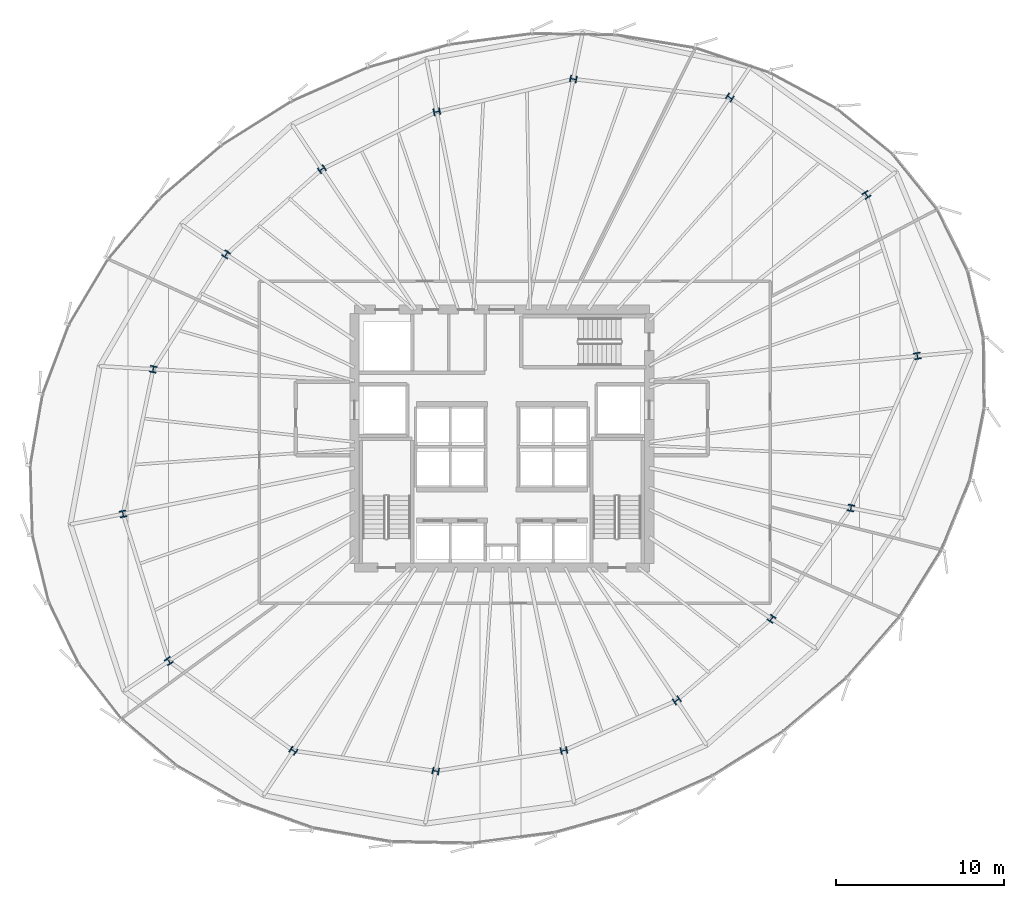
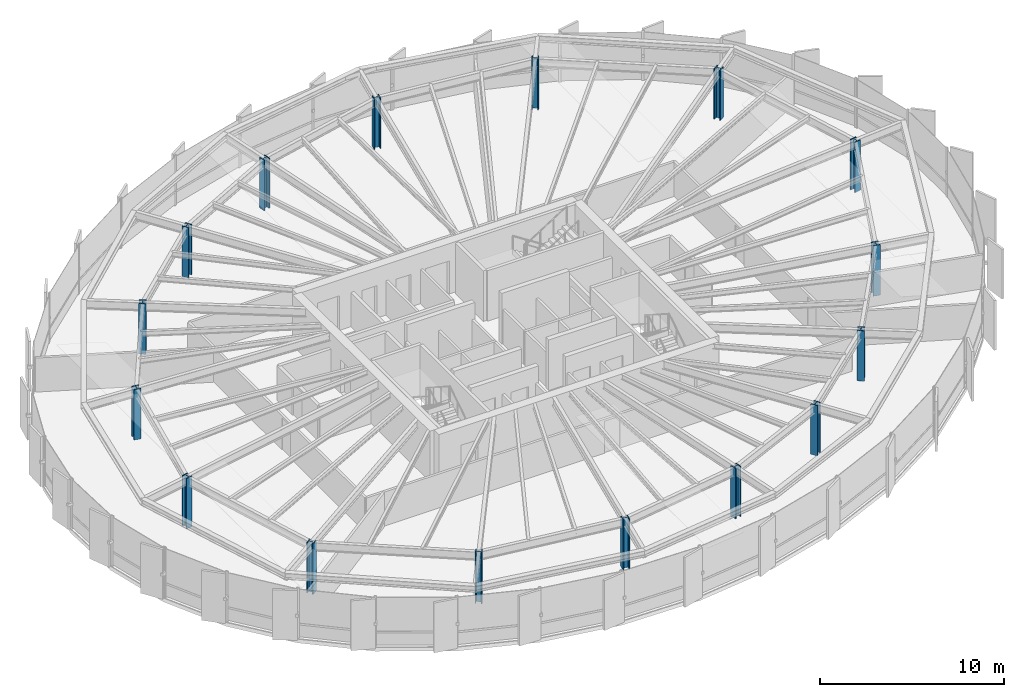
# One storey, part 1 of 33: 16 columns.
"""IFC4 building model written with IfcOpenShell, lengths in metres."""

from ifc_helpers import new_model, si_unit, direction, frame, origin, origin_2d, place, context, subcontext, project, spatial, i_section, extrude, source, transform, mapped, material, material_profile, profile_set, type_object, element, save


model = new_model("IFC4")

# Units and contexts
model_context = context("Model", 3, precision=1e-05, world=origin(), true_north=direction((0.0, 1.0)))
body_context = subcontext(model_context, "Body", "Model", "MODEL_VIEW")
ifc_project = project(units=[si_unit("LENGTHUNIT", "METRE"), si_unit("AREAUNIT", "SQUARE_METRE"), si_unit("VOLUMEUNIT", "CUBIC_METRE"), si_unit("PLANEANGLEUNIT", "RADIAN"), si_unit("MASSUNIT", "GRAM", prefix="KILO"), si_unit("THERMODYNAMICTEMPERATUREUNIT", "KELVIN")], contexts=[model_context])

# Site, building, storey
site_placement = place(None, origin())
site = spatial("IfcSite", under=ifc_project, at=site_placement, CompositionType="ELEMENT")
building_placement = place(site_placement, origin())
building = spatial("IfcBuilding", under=site, at=building_placement, Name="Kethvar Cultural Tower", CompositionType="ELEMENT")
storey_placement = place(building_placement, frame((0.0, 0.0, 114.39990234375)))
storey = spatial("IfcBuildingStorey", under=building, at=storey_placement, Name="L28", CompositionType="ELEMENT", Elevation=114.39990234375)

# Columns
ifc_material = material(Name="Steel S460M", Category="steel")
ifc_material_profile = material_profile(ifc_material, i_section(OverallWidth=0.405029296875, OverallDepth=0.39794921875, WebThickness=0.034912109375, FlangeThickness=0.055908203125, FilletRadius=0.014892578125, at=origin_2d()), Name="Steel S460M — HD400x744")
ifc_profile_set = profile_set([ifc_material_profile], Name="Steel S460M — HD400x744")
column_type = type_object("IfcColumnType", Name="COL-HD744", PredefinedType="COLUMN", material=ifc_profile_set)
shared_shape = source(origin(), body_context, "Body", "SweptSolid", [
    extrude(i_section(OverallWidth=0.405029296875, OverallDepth=0.39794921875, WebThickness=0.034912109375, FlangeThickness=0.055908203125, FilletRadius=0.014892578125, at=origin_2d()), origin(), (0.0, 0.0, 1.0), 3.35009765625),
])
for number, where, z_axis, x_axis, name in (
    (1, (71.6025390625, 32.7333984375, 0.0), (0.0, 0.0, 1.0), (0.980785280403, 0.195090322016, 0.0), "L28 Mega-Column MC-01"),
    (2, (68.568603515625, 42.34521484375, 0.0), (0.0, 0.0, 1.0), (0.831469612303, 0.55557023302, 0.0), "L28 Mega-Column MC-02"),
    (3, (60.40478515625, 48.160888671875, 0.0), (0.0, 0.0, 1.0), (0.55557023302, 0.831469612303, 0.0), "L28 Mega-Column MC-03"),
    (4, (51.068603515625, 49.25927734375, 0.0), (0.0, 0.0, 1.0), (0.195090322016, 0.980785280403, 0.0), "L28 Mega-Column MC-04"),
    (5, (42.9189453125, 47.311279296875, 0.0), (0.0, 0.0, 1.0), (-0.195090322016, 0.980785280403, 0.0), "L28 Mega-Column MC-05"),
    (6, (36.0576171875, 43.877197265625, 0.0), (0.0, 0.0, 1.0), (-0.55557023302, 0.831469612303, 0.0), "L28 Mega-Column MC-06"),
    (7, (30.345947265625, 38.794189453125, 0.0), (0.0, 0.0, 1.0), (-0.831469612303, 0.55557023302, 0.0), "L28 Mega-Column MC-07"),
    (8, (25.988525390625, 31.939697265625, 0.0), (0.0, 0.0, 1.0), (-0.980785280403, 0.195090322016, 0.0), "L28 Mega-Column MC-08"),
    (9, (24.185302734375, 23.3017578125, 0.0), (0.0, 0.0, 1.0), (-0.980785280403, -0.195090322016, 0.0), "L28 Mega-Column MC-09"),
    (10, (26.920654296875, 14.51708984375, 0.0), (0.0, 0.0, 1.0), (-0.831469612303, -0.55557023302, 0.0), "L28 Mega-Column MC-10"),
    (11, (34.350830078125, 9.16845703125, 0.0), (0.0, 0.0, 1.0), (-0.55557023302, -0.831469612303, 0.0), "L28 Mega-Column MC-11"),
    (12, (42.852294921875, 7.95361328125, 0.0), (0.0, 0.0, 1.0), (-0.195090322016, -0.980785280403, 0.0), "L28 Mega-Column MC-12"),
    (13, (50.50341796875, 9.182373046875, 0.0), (0.0, 0.0, 1.0), (0.195090322016, -0.980785280403, 0.0), "L28 Mega-Column MC-13"),
    (14, (57.241943359375, 12.17236328125, 0.0), (0.0, 0.0, 1.0), (0.55557023302, -0.831469612303, 0.0), "L28 Mega-Column MC-14"),
    (15, (62.898681640625, 17.043212890625, 0.0), (0.0, 0.0, 1.0), (0.831469612303, -0.55557023302, 0.0), "L28 Mega-Column MC-15"),
    (16, (67.638671875, 23.65478515625, 0.0), (0.0, 0.0, 1.0), (0.980785280403, -0.195090322016, 0.0), "L28 Mega-Column MC-16"),
):
    element("IfcColumn", number, at=place(storey_placement, frame(where, z_axis=z_axis, x_axis=x_axis)), inside=storey, type_object=column_type, Name=name, PredefinedType="COLUMN", context=body_context, shape_type="MappedRepresentation", body=[
        mapped(shared_shape, transform((0.0, 0.0, 0.0), scale=1.0)),
    ])

save(model, "model.ifc")
